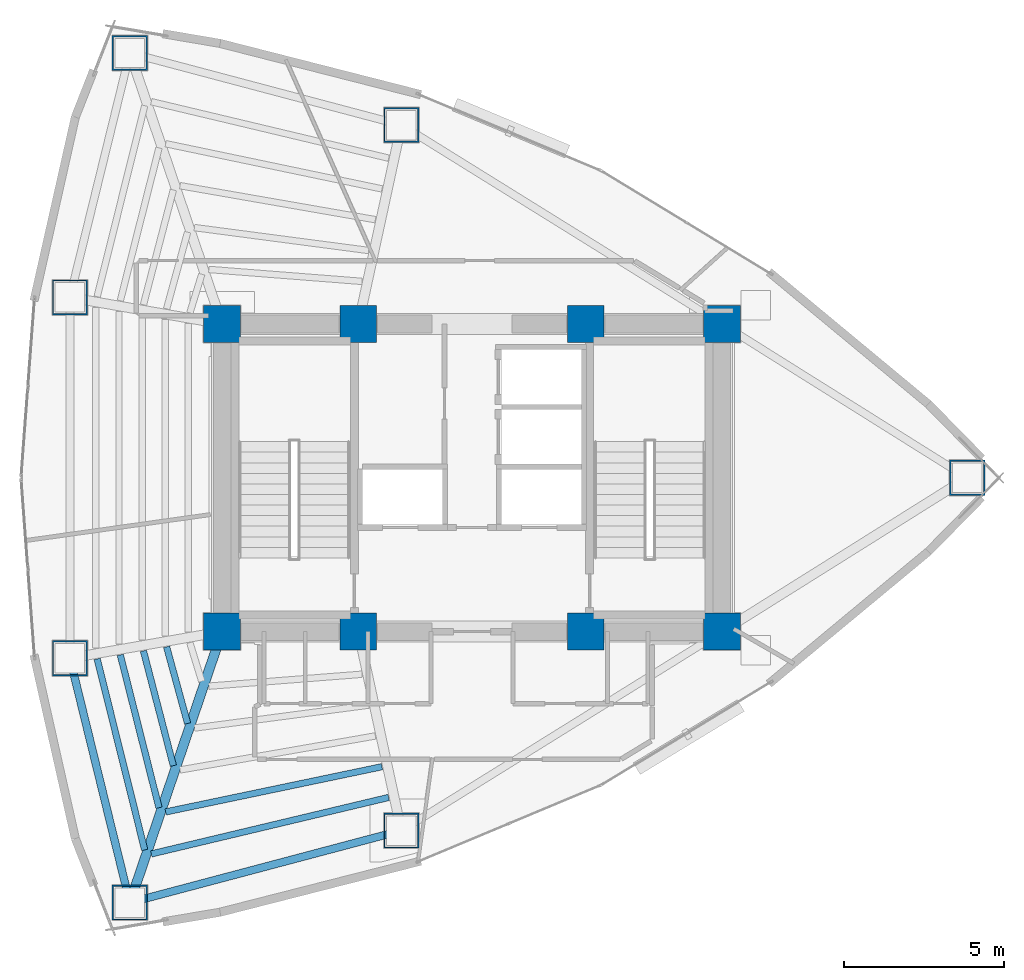
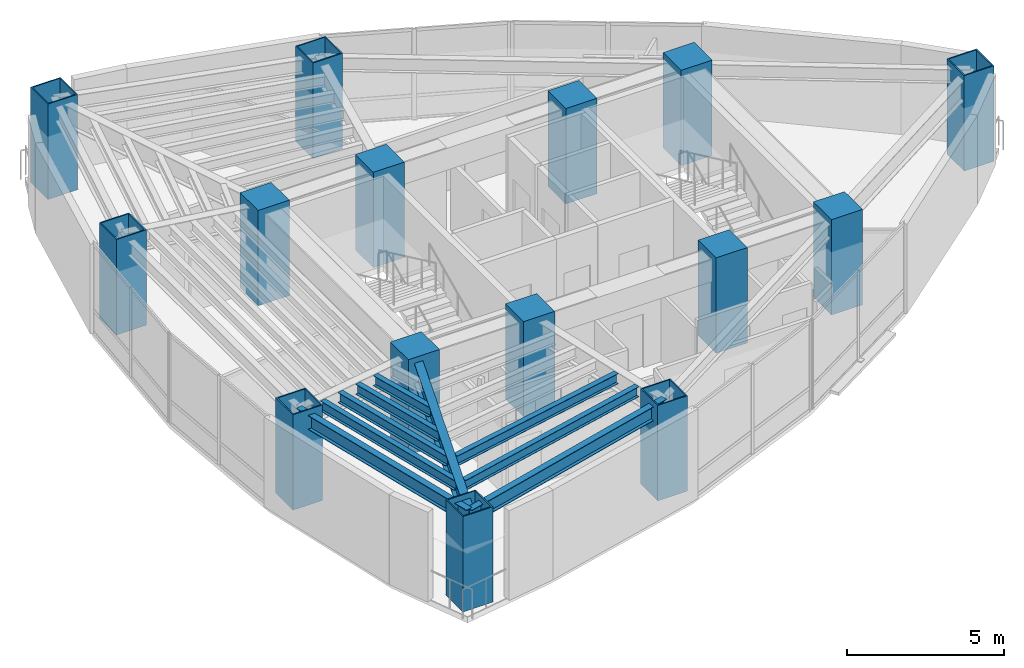
# One storey, part 1 of 15: 15 columns, 9 beams.
"""IFC4 building model written with IfcOpenShell, lengths in metres."""

from ifc_helpers import new_model, si_unit, direction, frame, origin, origin_2d, place, context, subcontext, project, spatial, rectangle, hollow_rectangle, i_section, extrude, material, material_profile, profile_set, type_object, element, save


model = new_model("IFC4")

# Units and contexts
model_context = context("Model", 3, precision=1e-05, world=origin(), true_north=direction((0.0, 1.0)))
body_context = subcontext(model_context, "Body", "Model", "MODEL_VIEW")
ifc_project = project(units=[si_unit("LENGTHUNIT", "METRE"), si_unit("AREAUNIT", "SQUARE_METRE"), si_unit("VOLUMEUNIT", "CUBIC_METRE"), si_unit("PLANEANGLEUNIT", "RADIAN"), si_unit("MASSUNIT", "GRAM", prefix="KILO")], contexts=[model_context])

# Site, building, storey
site_placement = place(None, origin())
site = spatial("IfcSite", under=ifc_project, at=site_placement, CompositionType="ELEMENT")
building_placement = place(site_placement, origin())
building = spatial("IfcBuilding", under=site, at=building_placement, Name="Menara Vayukalpa", CompositionType="ELEMENT")
storey_placement = place(building_placement, frame((0.0, 0.0, 137.4599609375)))
storey = spatial("IfcBuildingStorey", under=building, at=storey_placement, Name="L34", CompositionType="ELEMENT", Elevation=137.4599609375)

# Columns
ifc_material_1 = material(Name="Concrete C80/95", Category="concrete")
ifc_material_profile_1 = material_profile(ifc_material_1, rectangle(XDim=1.14990234375, YDim=1.14990234375, at=origin_2d()), Name="RC 1150x1150")
ifc_profile_set_1 = profile_set([ifc_material_profile_1], Name="Concrete C80/95")
column_type_1 = type_object("IfcColumnType", Name="COL-CC1", PredefinedType="COLUMN", material=ifc_profile_set_1)
for number, where, z_axis, x_axis, name in (
    (1, (17.800048828125, 17.199951171875, 0.0), (0.0, 0.0, 1.0), (1.0, 0.0, 0.0), "L34 Core Pilaster Column CC1"),
    (2, (22.050048828125, 17.199951171875, 0.0), (0.0, 0.0, 1.0), (1.0, 0.0, 0.0), "L34 Core Pilaster Column CC2"),
    (3, (29.14990234375, 17.199951171875, 0.0), (0.0, 0.0, 1.0), (1.0, 0.0, 0.0), "L34 Core Pilaster Column CC3"),
    (4, (33.39990234375, 17.199951171875, 0.0), (0.0, 0.0, 1.0), (1.0, 0.0, 0.0), "L34 Core Pilaster Column CC4"),
    (5, (17.800048828125, 26.800048828125, 0.0), (0.0, 0.0, 1.0), (1.0, 0.0, 0.0), "L34 Core Pilaster Column CC5"),
    (6, (22.050048828125, 26.800048828125, 0.0), (0.0, 0.0, 1.0), (1.0, 0.0, 0.0), "L34 Core Pilaster Column CC6"),
    (7, (29.14990234375, 26.800048828125, 0.0), (0.0, 0.0, 1.0), (1.0, 0.0, 0.0), "L34 Core Pilaster Column CC7"),
    (8, (33.39990234375, 26.800048828125, 0.0), (0.0, 0.0, 1.0), (1.0, 0.0, 0.0), "L34 Core Pilaster Column CC8"),
):
    element("IfcColumn", number, at=place(storey_placement, frame(where, z_axis=z_axis, x_axis=x_axis)), inside=storey, type_object=column_type_1, Name=name, PredefinedType="COLUMN", context=body_context, shape_type="SweptSolid", body=[
        extrude(rectangle(XDim=1.14990234375, YDim=1.14990234375, at=origin_2d()), origin(), (0.0, 0.0, 1.0), 3.719970703125),
    ])
ifc_material_2 = material(Name="Steel S460", Category="steel")
ifc_material_profile_2 = material_profile(ifc_material_2, hollow_rectangle(XDim=1.10009765625, YDim=1.10009765625, WallThickness=0.044921875, at=origin_2d()), Name="BOX 1100x1100x45")
ifc_profile_set_2 = profile_set([ifc_material_profile_2], Name="Steel S460")
column_type_2 = type_object("IfcColumnType", Name="COL-MC3", PredefinedType="COLUMN", material=ifc_profile_set_2)
for number, where, z_axis, x_axis, name in (
    (9, (41.05908203125, 22.0, 0.0), (0.0, 0.0, 1.0), (1.0, 0.0, 0.0), "L34 Perimeter Mega Column P01"),
    (10, (23.39697265625, 33.011962890625, 0.0), (0.0, 0.0, 1.0), (1.0, 0.0, 0.0), "L34 Perimeter Mega Column P03"),
    (11, (14.92041015625, 35.260498046875, 0.0), (0.0, 0.0, 1.0), (1.0, 0.0, 0.0), "L34 Perimeter Mega Column P04"),
    (12, (13.049072265625, 27.6318359375, 0.0), (0.0, 0.0, 1.0), (1.0, 0.0, 0.0), "L34 Perimeter Mega Column P05"),
    (13, (13.049072265625, 16.3681640625, 0.0), (0.0, 0.0, 1.0), (1.0, 0.0, 0.0), "L34 Perimeter Mega Column P06"),
    (14, (14.92041015625, 8.739501953125, 0.0), (0.0, 0.0, 1.0), (1.0, 0.0, 0.0), "L34 Perimeter Mega Column P07"),
    (15, (23.39697265625, 10.988037109375, 0.0), (0.0, 0.0, 1.0), (1.0, 0.0, 0.0), "L34 Perimeter Mega Column P08"),
):
    element("IfcColumn", number, at=place(storey_placement, frame(where, z_axis=z_axis, x_axis=x_axis)), inside=storey, type_object=column_type_2, Name=name, PredefinedType="COLUMN", context=body_context, shape_type="SweptSolid", body=[
        extrude(hollow_rectangle(XDim=1.10009765625, YDim=1.10009765625, WallThickness=0.044921875, at=origin_2d()), origin(), (0.0, 0.0, 1.0), 3.719970703125),
    ])

# Beams
ifc_material_3 = material(Name="Steel S355", Category="steel")
ifc_material_profile_3 = material_profile(ifc_material_3, i_section(OverallWidth=0.300048828125, OverallDepth=0.800048828125, WebThickness=0.013916015625, FlangeThickness=0.02587890625, at=origin_2d()), Name="WF 800x300x14x26")
ifc_profile_set_3 = profile_set([ifc_material_profile_3], Name="Steel S355")
beam_type_1 = type_object("IfcBeamType", Name="BM-PG3", PredefinedType="BEAM", material=ifc_profile_set_3)
beam_1_placement = place(storey_placement, frame((17.719482421875, 16.96337890625, 3.10009765625), z_axis=(-0.322207533072, -0.946669058136, 0.0), x_axis=(0.946669058136, -0.322207533072, 0.0)))
element("IfcBeam", 16, at=beam_1_placement, inside=storey, type_object=beam_type_1, Name="L34 Primary Radial Girder RG07", PredefinedType="BEAM", context=body_context, shape_type="SweptSolid", body=[
    extrude(i_section(OverallWidth=0.300048828125, OverallDepth=0.800048828125, WebThickness=0.013916015625, FlangeThickness=0.02587890625, at=origin_2d()), origin(), (0.0, 0.0, 1.0), 8.687255859375),
])
ifc_material_4 = material(Name="Steel S355", Category="steel")
ifc_material_profile_4 = material_profile(ifc_material_4, i_section(OverallWidth=0.199951171875, OverallDepth=0.39990234375, WebThickness=0.008056640625, FlangeThickness=0.012939453125, at=origin_2d()), Name="WF 400x200x8x13")
ifc_profile_set_4 = profile_set([ifc_material_profile_4], Name="Steel S355")
beam_type_2 = type_object("IfcBeamType", Name="BM-SJ2", PredefinedType="JOIST", material=ifc_profile_set_4)
beam_2_placement = place(storey_placement, frame((16.067138671875, 16.724853515625, 3.300048828125), z_axis=(0.264232640077, -0.964458973683, 0.0), x_axis=(0.964458973683, 0.264232640077, 0.0)))
element("IfcBeam", 17, at=beam_2_placement, inside=storey, type_object=beam_type_2, Name="L34 Secondary Floor Joist SJ06-2", PredefinedType="JOIST", context=body_context, shape_type="SweptSolid", body=[
    extrude(i_section(OverallWidth=0.199951171875, OverallDepth=0.39990234375, WebThickness=0.008056640625, FlangeThickness=0.012939453125, at=origin_2d()), origin(), (0.0, 0.0, 1.0), 2.481689453125),
])
beam_3_placement = place(storey_placement, frame((15.34423828125, 16.597900390625, 3.300048828125), z_axis=(0.252021814079, -0.967721553562, 0.0), x_axis=(0.967721553562, 0.252021814079, 0.0)))
element("IfcBeam", 18, at=beam_3_placement, inside=storey, type_object=beam_type_2, Name="L34 Secondary Floor Joist SJ06-3", PredefinedType="JOIST", context=body_context, shape_type="SweptSolid", body=[
    extrude(i_section(OverallWidth=0.199951171875, OverallDepth=0.39990234375, WebThickness=0.008056640625, FlangeThickness=0.012939453125, at=origin_2d()), origin(), (0.0, 0.0, 1.0), 3.701416015625),
])
beam_4_placement = place(storey_placement, frame((14.622314453125, 16.4716796875, 3.300048828125), z_axis=(0.245440749471, -0.969411593958, 0.0), x_axis=(0.969411593958, 0.245440749471, 0.0)))
element("IfcBeam", 19, at=beam_4_placement, inside=storey, type_object=beam_type_2, Name="L34 Secondary Floor Joist SJ06-4", PredefinedType="JOIST", context=body_context, shape_type="SweptSolid", body=[
    extrude(i_section(OverallWidth=0.199951171875, OverallDepth=0.39990234375, WebThickness=0.008056640625, FlangeThickness=0.012939453125, at=origin_2d()), origin(), (0.0, 0.0, 1.0), 4.921875),
])
beam_5_placement = place(storey_placement, frame((13.90087890625, 16.34521484375, 3.300048828125), z_axis=(0.241356999927, -0.970436395951, 0.0), x_axis=(0.970436395951, 0.241356999927, 0.0)))
element("IfcBeam", 20, at=beam_5_placement, inside=storey, type_object=beam_type_2, Name="L34 Secondary Floor Joist SJ06-5", PredefinedType="JOIST", context=body_context, shape_type="SweptSolid", body=[
    extrude(i_section(OverallWidth=0.199951171875, OverallDepth=0.39990234375, WebThickness=0.008056640625, FlangeThickness=0.012939453125, at=origin_2d()), origin(), (0.0, 0.0, 1.0), 6.14208984375),
])
beam_6_placement = place(storey_placement, frame((16.03857421875, 11.5703125, 3.300048828125), z_axis=(0.978829393328, 0.204677841395, 0.0), x_axis=(-0.204677841395, 0.978829393328, 0.0)))
element("IfcBeam", 21, at=beam_6_placement, inside=storey, type_object=beam_type_2, Name="L34 Secondary Floor Joist SJ07-4", PredefinedType="JOIST", context=body_context, shape_type="SweptSolid", body=[
    extrude(i_section(OverallWidth=0.199951171875, OverallDepth=0.39990234375, WebThickness=0.008056640625, FlangeThickness=0.012939453125, at=origin_2d()), origin(), (0.0, 0.0, 1.0), 6.89794921875),
])
beam_7_placement = place(storey_placement, frame((15.589599609375, 10.25927734375, 3.300048828125), z_axis=(0.972824097487, 0.231545406668, 0.0), x_axis=(-0.231545406668, 0.972824097487, 0.0)))
element("IfcBeam", 22, at=beam_7_placement, inside=storey, type_object=beam_type_2, Name="L34 Secondary Floor Joist SJ07-5", PredefinedType="JOIST", context=body_context, shape_type="SweptSolid", body=[
    extrude(i_section(OverallWidth=0.199951171875, OverallDepth=0.39990234375, WebThickness=0.008056640625, FlangeThickness=0.012939453125, at=origin_2d()), origin(), (0.0, 0.0, 1.0), 7.615966796875),
])
ifc_material_5 = material(Name="Steel S355", Category="steel")
ifc_material_profile_5 = material_profile(ifc_material_5, i_section(OverallWidth=0.239990234375, OverallDepth=0.550048828125, WebThickness=0.010986328125, FlangeThickness=0.01904296875, at=origin_2d()), Name="WF 550x240x11x19")
ifc_profile_set_5 = profile_set([ifc_material_profile_5], Name="Steel S355")
beam_type_3 = type_object("IfcBeamType", Name="BM-SP2", PredefinedType="SPANDREL", material=ifc_profile_set_5)
beam_8_placement = place(storey_placement, frame((13.049072265625, 16.3681640625, 3.22509765625), z_axis=(0.238240335346, -0.971206230733, 0.0), x_axis=(0.971206230733, 0.238240335346, 0.0)))
element("IfcBeam", 23, at=beam_8_placement, inside=storey, type_object=beam_type_3, Name="L34 Perimeter Spandrel Beam SP06", PredefinedType="SPANDREL", context=body_context, shape_type="SweptSolid", body=[
    extrude(i_section(OverallWidth=0.239990234375, OverallDepth=0.550048828125, WebThickness=0.010986328125, FlangeThickness=0.01904296875, at=origin_2d()), origin(), (0.0, 0.0, 1.0), 7.854736328125),
])
beam_9_placement = place(storey_placement, frame((14.92041015625, 8.739501953125, 3.22509765625), z_axis=(0.96657141455, 0.256397544009, 0.0), x_axis=(-0.256397544009, 0.96657141455, 0.0)))
element("IfcBeam", 24, at=beam_9_placement, inside=storey, type_object=beam_type_3, Name="L34 Perimeter Spandrel Beam SP07", PredefinedType="SPANDREL", context=body_context, shape_type="SweptSolid", body=[
    extrude(i_section(OverallWidth=0.239990234375, OverallDepth=0.550048828125, WebThickness=0.010986328125, FlangeThickness=0.01904296875, at=origin_2d()), origin(), (0.0, 0.0, 1.0), 8.769775390625),
])

save(model, "model.ifc")
